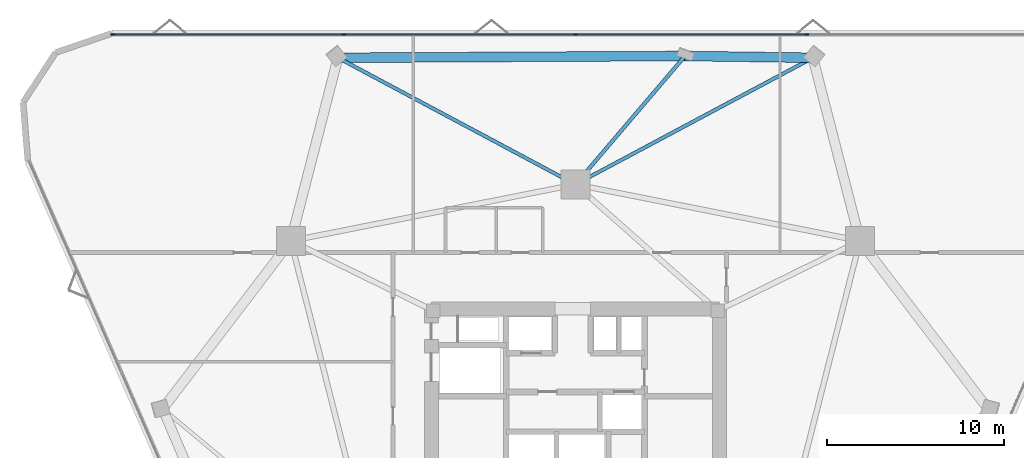
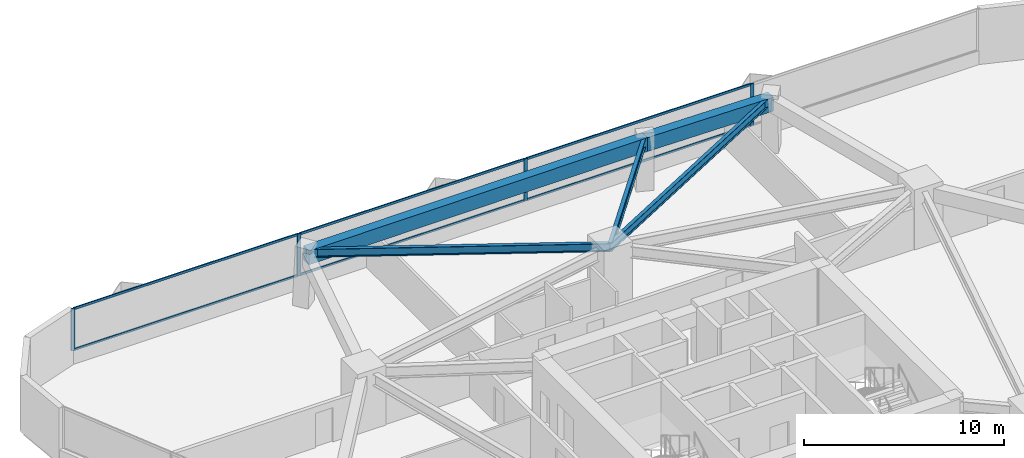
# One storey, part 8 of 14: 10 members, 5 beams, 1 element without a shape of its own.
"""IFC4 building model written with IfcOpenShell, lengths in metres."""

from ifc_helpers import new_model, si_unit, direction, frame, origin, origin_2d, place, context, subcontext, project, spatial, rectangle, i_section, extrude, material, layer, layer_set, material_profile, profile_set, type_object, element, aggregate, save


model = new_model("IFC4")

# Units and contexts
model_context = context("Model", 3, precision=1e-05, world=origin(), true_north=direction((0.0, 1.0)))
body_context = subcontext(model_context, "Body", "Model", "MODEL_VIEW")
ifc_project = project(units=[si_unit("LENGTHUNIT", "METRE"), si_unit("AREAUNIT", "SQUARE_METRE"), si_unit("VOLUMEUNIT", "CUBIC_METRE"), si_unit("PLANEANGLEUNIT", "RADIAN"), si_unit("MASSUNIT", "GRAM", prefix="KILO")], contexts=[model_context])

# Site, building, storey
site_placement = place(None, origin())
site = spatial("IfcSite", under=ifc_project, at=site_placement, CompositionType="ELEMENT")
building_placement = place(site_placement, origin())
building = spatial("IfcBuilding", under=site, at=building_placement, Name="Talyreon Biosciences Tower", CompositionType="ELEMENT")
storey_placement = place(building_placement, frame((0.0, 0.0, 96.89990234375)))
storey = spatial("IfcBuildingStorey", under=building, at=storey_placement, Name="L25", CompositionType="ELEMENT", Elevation=96.89990234375)

# Curtain wall, members
ifc_material_1 = material(Name="Thermally broken aluminium and low-E glazing", Category="aluminium")
ifc_layer = layer(ifc_material_1, 0.205078125)
ifc_layer_set = layer_set([ifc_layer], Name="Thermally broken aluminium and low-E glazing")
curtain_wall_type = type_object("IfcCurtainWallType", Name="CurtainWall_SkyGardenLoggia", PredefinedType="NOTDEFINED", material=ifc_layer_set)
curtain_wall_placement = place(storey_placement, origin())
curtain_wall = element("IfcCurtainWall", 1, at=curtain_wall_placement, inside=storey, type_object=curtain_wall_type, Name="L25 Unitised Curtain Wall FCW-L25-03", PredefinedType="NOTDEFINED")
ifc_material_2 = material(Name="Anodised thermally broken aluminium", Category="aluminium")
ifc_material_profile_1 = material_profile(ifc_material_2, rectangle(XDim=0.074951171875, YDim=0.2099609375, at=origin_2d()), Name="ALUM MULLION 75x210")
ifc_profile_set_1 = profile_set([ifc_material_profile_1], Name="Anodised thermally broken aluminium")
member_type_1 = type_object("IfcMemberType", Name="CWMullion_75x210", PredefinedType="MULLION", material=ifc_profile_set_1)
member_1_placement = place(storey_placement, frame((39.818115234375, 90.2734375, 0.81005859375), z_axis=(0.0, 0.0, 1.0), x_axis=(0.0, 1.0, 0.0)))
member_1 = element("IfcMember", 2, at=member_1_placement, type_object=member_type_1, Name="CW7 mullion 1", PredefinedType="MULLION", context=body_context, shape_type="SweptSolid", body=[
    extrude(rectangle(XDim=0.074951171875, YDim=0.2099609375, at=origin_2d()), origin(), (0.0, 0.0, 1.0), 2.56494140625),
])
member_2_placement = place(storey_placement, frame((52.890380859375, 90.2734375, 0.81005859375), z_axis=(0.0, 0.0, 1.0), x_axis=(0.0, 1.0, 0.0)))
member_2 = element("IfcMember", 3, at=member_2_placement, type_object=member_type_1, Name="CW7 mullion 2", PredefinedType="MULLION", context=body_context, shape_type="SweptSolid", body=[
    extrude(rectangle(XDim=0.074951171875, YDim=0.2099609375, at=origin_2d()), origin(), (0.0, 0.0, 1.0), 2.56494140625),
])
member_3_placement = place(storey_placement, frame((66.0, 90.2734375, 0.81005859375), z_axis=(0.0, 0.0, 1.0), x_axis=(0.0, 1.0, 0.0)))
member_3 = element("IfcMember", 4, at=member_3_placement, type_object=member_type_1, Name="CW7 mullion 3", PredefinedType="MULLION", context=body_context, shape_type="SweptSolid", body=[
    extrude(rectangle(XDim=0.074951171875, YDim=0.2099609375, at=origin_2d()), origin(), (0.0, 0.0, 1.0), 2.56494140625),
])
member_4_placement = place(storey_placement, frame((79.109619140625, 90.2734375, 0.81005859375), z_axis=(0.0, 0.0, 1.0), x_axis=(0.0, 1.0, 0.0)))
member_4 = element("IfcMember", 5, at=member_4_placement, type_object=member_type_1, Name="CW7 mullion 4", PredefinedType="MULLION", context=body_context, shape_type="SweptSolid", body=[
    extrude(rectangle(XDim=0.074951171875, YDim=0.2099609375, at=origin_2d()), origin(), (0.0, 0.0, 1.0), 2.56494140625),
])
ifc_material_profile_2 = material_profile(ifc_material_2, rectangle(XDim=0.06494140625, YDim=0.139892578125, at=origin_2d()), Name="ALUM TRANSOM 65x140")
ifc_profile_set_2 = profile_set([ifc_material_profile_2], Name="Anodised thermally broken aluminium")
member_type_2 = type_object("IfcMemberType", Name="CWTransom_65x140", PredefinedType="USERDEFINED", material=ifc_profile_set_2)
member_5_placement = place(storey_placement, frame((39.855712890625, 90.2734375, 0.842529296875), z_axis=(1.0, 0.0, 0.0), x_axis=(0.0, 1.0, 0.0)))
member_5 = element("IfcMember", 6, at=member_5_placement, type_object=member_type_2, Name="CW7 transom 1.1", ObjectType="TRANSOM", PredefinedType="USERDEFINED", context=body_context, shape_type="SweptSolid", body=[
    extrude(rectangle(XDim=0.06494140625, YDim=0.139892578125, at=origin_2d()), origin(), (0.0, 0.0, 1.0), 12.9970703125),
])
member_6_placement = place(storey_placement, frame((39.855712890625, 90.2734375, 3.342529296875), z_axis=(1.0, 0.0, 0.0), x_axis=(0.0, 1.0, 0.0)))
member_6 = element("IfcMember", 7, at=member_6_placement, type_object=member_type_2, Name="CW7 transom 1.2", ObjectType="TRANSOM", PredefinedType="USERDEFINED", context=body_context, shape_type="SweptSolid", body=[
    extrude(rectangle(XDim=0.06494140625, YDim=0.139892578125, at=origin_2d()), origin(), (0.0, 0.0, 1.0), 12.9970703125),
])
member_7_placement = place(storey_placement, frame((52.927734375, 90.2734375, 0.842529296875), z_axis=(1.0, 0.0, 0.0), x_axis=(0.0, 1.0, 0.0)))
member_7 = element("IfcMember", 8, at=member_7_placement, type_object=member_type_2, Name="CW7 transom 2.1", ObjectType="TRANSOM", PredefinedType="USERDEFINED", context=body_context, shape_type="SweptSolid", body=[
    extrude(rectangle(XDim=0.06494140625, YDim=0.139892578125, at=origin_2d()), origin(), (0.0, 0.0, 1.0), 13.03466796875),
])
member_8_placement = place(storey_placement, frame((52.927734375, 90.2734375, 3.342529296875), z_axis=(1.0, 0.0, 0.0), x_axis=(0.0, 1.0, 0.0)))
member_8 = element("IfcMember", 9, at=member_8_placement, type_object=member_type_2, Name="CW7 transom 2.2", ObjectType="TRANSOM", PredefinedType="USERDEFINED", context=body_context, shape_type="SweptSolid", body=[
    extrude(rectangle(XDim=0.06494140625, YDim=0.139892578125, at=origin_2d()), origin(), (0.0, 0.0, 1.0), 13.03466796875),
])
member_9_placement = place(storey_placement, frame((66.03759765625, 90.2734375, 0.842529296875), z_axis=(1.0, 0.0, 0.0), x_axis=(0.0, 1.0, 0.0)))
member_9 = element("IfcMember", 10, at=member_9_placement, type_object=member_type_2, Name="CW7 transom 3.1", ObjectType="TRANSOM", PredefinedType="USERDEFINED", context=body_context, shape_type="SweptSolid", body=[
    extrude(rectangle(XDim=0.06494140625, YDim=0.139892578125, at=origin_2d()), origin(), (0.0, 0.0, 1.0), 13.03466796875),
])
member_10_placement = place(storey_placement, frame((66.03759765625, 90.2734375, 3.342529296875), z_axis=(1.0, 0.0, 0.0), x_axis=(0.0, 1.0, 0.0)))
member_10 = element("IfcMember", 11, at=member_10_placement, type_object=member_type_2, Name="CW7 transom 3.2", ObjectType="TRANSOM", PredefinedType="USERDEFINED", context=body_context, shape_type="SweptSolid", body=[
    extrude(rectangle(XDim=0.06494140625, YDim=0.139892578125, at=origin_2d()), origin(), (0.0, 0.0, 1.0), 13.03466796875),
])
aggregate(curtain_wall, [member_1, member_2, member_3, member_4, member_5, member_6, member_7, member_8, member_9, member_10])

# Beams
ifc_material_3 = material(Name="Precast concrete C45/55", Category="concrete")
ifc_material_profile_3 = material_profile(ifc_material_3, rectangle(XDim=0.550048828125, YDim=0.85009765625, at=origin_2d()), Name="RCB 550x850")
ifc_profile_set_3 = profile_set([ifc_material_profile_3], Name="Precast concrete C45/55")
beam_type_1 = type_object("IfcBeamType", Name="ExpressedSpandrel_550x850", PredefinedType="SPANDREL", material=ifc_profile_set_3)
beam_1_placement = place(storey_placement, frame((79.43798828125, 88.958984375, 2.9501953125), z_axis=(-0.999904795646, 0.013798537736, 0.0), x_axis=(-0.013798537736, -0.999904795646, 0.0)))
element("IfcBeam", 12, at=beam_1_placement, inside=storey, type_object=beam_type_1, Name="L25 Expressed Horizontal Concrete Spandrel 06", PredefinedType="SPANDREL", context=body_context, shape_type="SweptSolid", body=[
    extrude(rectangle(XDim=0.550048828125, YDim=0.85009765625, at=origin_2d()), origin(), (0.0, 0.0, 1.0), 7.236572265625),
])
beam_2_placement = place(storey_placement, frame((72.2021484375, 89.058837890625, 2.9501953125), z_axis=(-0.99998707593, -0.005084090123, 0.0), x_axis=(0.005084090123, -0.99998707593, 0.0)))
element("IfcBeam", 13, at=beam_2_placement, inside=storey, type_object=beam_type_1, Name="L25 Expressed Horizontal Concrete Spandrel 07", PredefinedType="SPANDREL", context=body_context, shape_type="SweptSolid", body=[
    extrude(rectangle(XDim=0.550048828125, YDim=0.85009765625, at=origin_2d()), origin(), (0.0, 0.0, 1.0), 19.640380859375),
])
ifc_material_4 = material(Name="Steel SM355", Category="steel")
ifc_material_profile_4 = material_profile(ifc_material_4, i_section(OverallWidth=0.199951171875, OverallDepth=0.5, WebThickness=0.01025390625, FlangeThickness=0.01611328125, FilletRadius=0.02099609375, at=origin_2d()), Name="IPE500")
ifc_profile_set_4 = profile_set([ifc_material_profile_4], Name="Steel SM355")
beam_type_2 = type_object("IfcBeamType", Name="SteelJoist_IPE500", PredefinedType="JOIST", material=ifc_profile_set_4)
for number, where, z_axis, x_axis, name in (
    (14, (66.0, 81.788818359375, 3.125), (0.882264627845, 0.470753785385, 0.0), (-0.470753785385, 0.882264627845, 0.0), "L25 Radial Composite Floor Joist PC-N1"),
    (15, (66.0, 81.788818359375, 3.125), (-0.882264627845, 0.470753785385, 0.0), (-0.470753785385, -0.882264627845, 0.0), "L25 Radial Composite Floor Joist PC-N2"),
):
    element("IfcBeam", number, at=place(storey_placement, frame(where, z_axis=z_axis, x_axis=x_axis)), inside=storey, type_object=beam_type_2, Name=name, PredefinedType="JOIST", context=body_context, shape_type="SweptSolid", body=[
        extrude(i_section(OverallWidth=0.199951171875, OverallDepth=0.5, WebThickness=0.01025390625, FlangeThickness=0.01611328125, FilletRadius=0.02099609375, at=origin_2d()), origin(), (0.0, 0.0, 1.0), 15.231201171875),
    ])
ifc_material_profile_5 = material_profile(ifc_material_4, i_section(OverallWidth=0.2099609375, OverallDepth=0.550048828125, WebThickness=0.010986328125, FlangeThickness=0.01708984375, FilletRadius=0.02392578125, at=origin_2d()), Name="IPE550")
ifc_profile_set_5 = profile_set([ifc_material_profile_5], Name="Steel SM355")
beam_type_3 = type_object("IfcBeamType", Name="SteelJoist_IPE550", PredefinedType="JOIST", material=ifc_profile_set_5)
beam_3_placement = place(storey_placement, frame((66.0, 81.788818359375, 3.10009765625), z_axis=(0.649022287487, 0.76076939367, 0.0), x_axis=(-0.76076939367, 0.649022287487, 0.0)))
element("IfcBeam", 16, at=beam_3_placement, inside=storey, type_object=beam_type_3, Name="L25 Radial Composite Floor Joist PL-N", PredefinedType="JOIST", context=body_context, shape_type="SweptSolid", body=[
    extrude(i_section(OverallWidth=0.2099609375, OverallDepth=0.550048828125, WebThickness=0.010986328125, FlangeThickness=0.01708984375, FilletRadius=0.02392578125, at=origin_2d()), origin(), (0.0, 0.0, 1.0), 9.55615234375),
])

save(model, "model.ifc")
